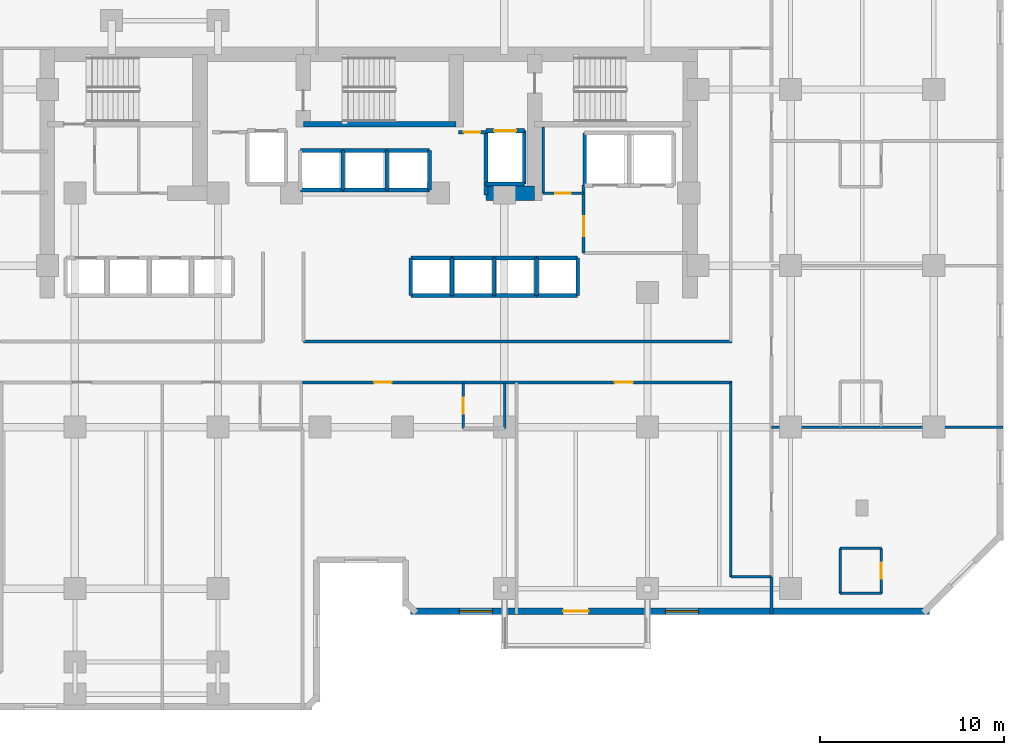
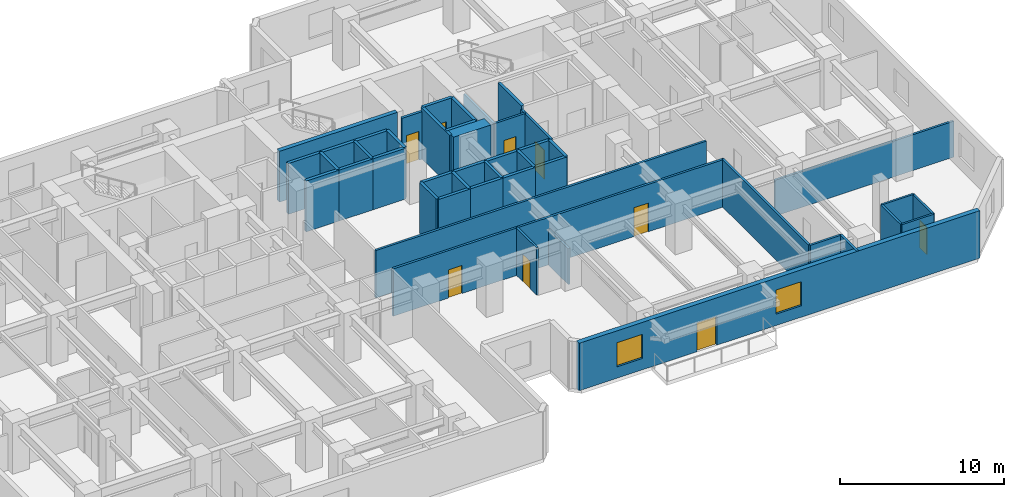
# One storey, part 7 of 11: 46 walls, 9 doors, 2 windows, 11 openings.
"""IFC4 building model written with IfcOpenShell, lengths in metres."""

from ifc_helpers import new_model, si_unit, direction, frame, frame_2d, origin, place, context, subcontext, project, spatial, rectangle, extrude, material, layer, layer_set, type_object, element, fill, save


model = new_model("IFC4")

# Units and contexts
model_context = context("Model", 3, precision=1e-05, world=origin(), true_north=direction((0.0, 1.0)))
body_context = subcontext(model_context, "Body", "Model", "MODEL_VIEW")
ifc_project = project(units=[si_unit("LENGTHUNIT", "METRE"), si_unit("AREAUNIT", "SQUARE_METRE"), si_unit("VOLUMEUNIT", "CUBIC_METRE"), si_unit("PLANEANGLEUNIT", "RADIAN"), si_unit("MASSUNIT", "GRAM", prefix="KILO")], contexts=[model_context])

# Site, building, storey
site_placement = place(None, origin())
site = spatial("IfcSite", under=ifc_project, at=site_placement, CompositionType="ELEMENT")
building_placement = place(site_placement, origin())
building = spatial("IfcBuilding", under=site, at=building_placement, Name="Kestravale Grand Hotel", CompositionType="ELEMENT")
storey_placement = place(building_placement, frame((0.0, 0.0, 114.60009765625)))
storey = spatial("IfcBuildingStorey", under=building, at=storey_placement, Name="L28", CompositionType="ELEMENT", Elevation=114.60009765625)

# Wall
ifc_material_1 = material(Name="Concrete f'c 60 MPa", Category="concrete")
ifc_layer_1 = layer(ifc_material_1, 0.800048828125)
ifc_layer_set_1 = layer_set([ifc_layer_1], Name="EW-CORE-800")
wall_type_1 = type_object("IfcWallType", Name="EW-CORE-800", PredefinedType="SHEAR", material=ifc_layer_set_1)
wall_1_placement = place(storey_placement, frame((45.81005859375, 32.75, 0.0), z_axis=(0.0, 0.0, 1.0), x_axis=(1.0, 0.0, 0.0)))
element("IfcWall", 1, at=wall_1_placement, inside=storey, type_object=wall_type_1, Name="L28 core shear wall S2", PredefinedType="SHEAR", context=body_context, shape_type="SweptSolid", body=[
    extrude(rectangle(XDim=2.639892578125, YDim=0.800048828125, at=frame_2d((1.31982421875, 0.0))), origin(), (0.0, 0.0, 1.0), 3.7998046875),
])

# Wall, openings, door, windows
ifc_material_2 = material(Name="Precast concrete f'c 45 MPa", Category="concrete")
ifc_layer_2 = layer(ifc_material_2, 0.340087890625)
ifc_layer_set_2 = layer_set([ifc_layer_2], Name="EW-PREC-340")
wall_type_2 = type_object("IfcWallType", Name="EW-PREC-340", PredefinedType="SOLIDWALL", material=ifc_layer_set_2)
wall_2_placement = place(storey_placement, frame((41.679931640625, 9.969970703125, 0.0), z_axis=(0.0, 0.0, 1.0), x_axis=(1.0, 0.0, 0.0)))
wall_2 = element("IfcWall", 2, at=wall_2_placement, inside=storey, type_object=wall_type_2, Name="L28 fluted precast facade wall 7", PredefinedType="SOLIDWALL", context=body_context, shape_type="SweptSolid", body=[
    extrude(rectangle(XDim=28.2900390625, YDim=0.340087890625, at=frame_2d((14.14501953125, 0.0))), origin(), (0.0, 0.0, 1.0), 3.539794921875),
])
opening_1_placement = place(wall_2_placement, frame((8.320068359375, 0.0, 0.0)))
opening_1 = element("IfcOpeningElement", 3, at=opening_1_placement, cuts=wall_2, Name="Opening D-TERR-1400", PredefinedType="OPENING", context=body_context, shape_type="SweptSolid", body=[
    extrude(rectangle(XDim=1.39990234375, YDim=2.14990234375, at=frame_2d((0.699951171875, 1.074951171875))), frame((0.0, 0.179931640625, 0.0), z_axis=(0.0, -1.0, 0.0), x_axis=(1.0, 0.0, 0.0)), (0.0, 0.0, 1.0), 0.360107421875),
])
opening_2_placement = place(wall_2_placement, frame((2.6650390625, 0.0, 0.85009765625)))
opening_2 = element("IfcOpeningElement", 4, at=opening_2_placement, cuts=wall_2, Name="Opening W-GUEST-1800", PredefinedType="OPENING", context=body_context, shape_type="SweptSolid", body=[
    extrude(rectangle(XDim=1.800048828125, YDim=1.800048828125, at=frame_2d((0.89990234375, 0.89990234375))), frame((0.0, 0.179931640625, 0.0), z_axis=(0.0, -1.0, 0.0), x_axis=(1.0, 0.0, 0.0)), (0.0, 0.0, 1.0), 0.360107421875),
])
opening_3_placement = place(wall_2_placement, frame((13.89501953125, 0.0, 0.85009765625)))
opening_3 = element("IfcOpeningElement", 5, at=opening_3_placement, cuts=wall_2, Name="Opening W-GUEST-1800", PredefinedType="OPENING", context=body_context, shape_type="SweptSolid", body=[
    extrude(rectangle(XDim=1.800048828125, YDim=1.800048828125, at=frame_2d((0.89990234375, 0.89990234375))), frame((0.0, 0.179931640625, 0.0), z_axis=(0.0, -1.0, 0.0), x_axis=(1.0, 0.0, 0.0)), (0.0, 0.0, 1.0), 0.360107421875),
])
ifc_material_3 = material(Name="Insulated glazed champagne-bronze aluminium door", Category="aluminium")
door_type_1 = type_object("IfcDoorType", Name="D-TERR-1400", OperationType="NOTDEFINED", PredefinedType="DOOR", material=ifc_material_3)
door_1_placement = place(opening_1_placement, origin())
door_1 = element("IfcDoor", 6, at=door_1_placement, inside=storey, type_object=door_type_1, Name="L28 outdoor garden terrace door", OperationType="DOUBLE_DOOR_SINGLE_SWING", OverallHeight=2.14990234375, OverallWidth=1.39990234375, PredefinedType="DOOR", context=body_context, shape_type="SweptSolid", body=[
    extrude(rectangle(XDim=1.39990234375, YDim=2.14990234375, at=frame_2d((0.699951171875, 1.074951171875))), frame((0.0, 0.02490234375, 0.0), z_axis=(0.0, -1.0, 0.0), x_axis=(1.0, 0.0, 0.0)), (0.0, 0.0, 1.0), 0.050048828125),
])
fill(opening_1, door_1)
ifc_material_4 = material(Name="Insulated low-E double glazing in aluminium frame", Category="aluminium")
window_type = type_object("IfcWindowType", Name="W-GUEST-1800", PartitioningType="DOUBLE_PANEL_VERTICAL", PredefinedType="WINDOW", material=ifc_material_4)
window_1_placement = place(opening_2_placement, origin())
window_1 = element("IfcWindow", 7, at=window_1_placement, inside=storey, type_object=window_type, Name="L28 exterior window 7.1", OverallHeight=1.800048828125, OverallWidth=1.800048828125, PartitioningType="SINGLE_PANEL", PredefinedType="WINDOW", context=body_context, shape_type="SweptSolid", body=[
    extrude(rectangle(XDim=1.800048828125, YDim=1.800048828125, at=frame_2d((0.89990234375, 0.89990234375))), frame((0.0, 0.030029296875, 0.0), z_axis=(0.0, -1.0, 0.0), x_axis=(1.0, 0.0, 0.0)), (0.0, 0.0, 1.0), 0.06005859375),
])
fill(opening_2, window_1)
window_2_placement = place(opening_3_placement, origin())
window_2 = element("IfcWindow", 8, at=window_2_placement, inside=storey, type_object=window_type, Name="L28 exterior window 7.2", OverallHeight=1.800048828125, OverallWidth=1.800048828125, PartitioningType="SINGLE_PANEL", PredefinedType="WINDOW", context=body_context, shape_type="SweptSolid", body=[
    extrude(rectangle(XDim=1.800048828125, YDim=1.800048828125, at=frame_2d((0.89990234375, 0.89990234375))), frame((0.0, 0.030029296875, 0.0), z_axis=(0.0, -1.0, 0.0), x_axis=(1.0, 0.0, 0.0)), (0.0, 0.0, 1.0), 0.06005859375),
])
fill(opening_3, window_2)

# Wall
ifc_material_5 = material(Name="Concrete f'c 45 MPa", Category="concrete")
ifc_layer_3 = layer(ifc_material_5, 0.300048828125)
ifc_layer_set_3 = layer_set([ifc_layer_3], Name="EW-STAIR-300")
wall_type_3 = type_object("IfcWallType", Name="EW-STAIR-300", PredefinedType="SHEAR", material=ifc_layer_set_3)
wall_3_placement = place(storey_placement, frame((35.85009765625, 36.52001953125, 0.0), z_axis=(0.0, 0.0, 1.0), x_axis=(1.0, 0.0, 0.0)))
element("IfcWall", 9, at=wall_3_placement, inside=storey, type_object=wall_type_3, Name="L28 stair enclosure shear wall SST2", PredefinedType="SHEAR", context=body_context, shape_type="SweptSolid", body=[
    extrude(rectangle(XDim=8.329833984375, YDim=0.300048828125, at=frame_2d((4.1650390625, 0.0))), origin(), (0.0, 0.0, 1.0), 3.7998046875),
])

# Wall, opening, door
ifc_material_6 = material(Name="Acoustic fire-rated gypsum board partition", Category="other")
ifc_layer_4 = layer(ifc_material_6, 0.159912109375)
ifc_layer_set_4 = layer_set([ifc_layer_4], Name="IW-CORR-160")
wall_type_4 = type_object("IfcWallType", Name="IW-CORR-160", PredefinedType="PARTITIONING", material=ifc_layer_set_4)
wall_4_placement = place(storey_placement, frame((51.1201171875, 29.5, 0.0), z_axis=(0.0, 0.0, 1.0), x_axis=(0.0, 1.0, 0.0)))
wall_4 = element("IfcWall", 10, at=wall_4_placement, inside=storey, type_object=wall_type_4, Name="W-L28-SVCLOB-W", PredefinedType="PARTITIONING", context=body_context, shape_type="SweptSolid", body=[
    extrude(rectangle(XDim=3.699951171875, YDim=0.159912109375, at=frame_2d((1.85009765625, 0.0))), origin(), (0.0, 0.0, 1.0), 3.539794921875),
])
opening_4_placement = place(wall_4_placement, frame((0.89990234375, 0.0, 0.0)))
opening_4 = element("IfcOpeningElement", 11, at=opening_4_placement, cuts=wall_4, Name="Opening D-CORR-1100", PredefinedType="OPENING", context=body_context, shape_type="SweptSolid", body=[
    extrude(rectangle(XDim=1.10009765625, YDim=2.14990234375, at=frame_2d((0.550048828125, 1.074951171875))), frame((0.0, 0.08984375, 0.0), z_axis=(0.0, -1.0, 0.0), x_axis=(1.0, 0.0, 0.0)), (0.0, 0.0, 1.0), 0.179931640625),
])
ifc_material_7 = material(Name="Single-leaf service vestibule fire door", Category="steel")
door_type_2 = type_object("IfcDoorType", Name="D-CORR-1100", OperationType="NOTDEFINED", PredefinedType="DOOR", material=ifc_material_7)
door_2_placement = place(opening_4_placement, origin())
door_2 = element("IfcDoor", 12, at=door_2_placement, inside=storey, type_object=door_type_2, Name="L28 service lift lobby door", OperationType="SINGLE_SWING_LEFT", OverallHeight=2.14990234375, OverallWidth=1.10009765625, PredefinedType="DOOR", context=body_context, shape_type="SweptSolid", body=[
    extrude(rectangle(XDim=1.10009765625, YDim=2.14990234375, at=frame_2d((0.550048828125, 1.074951171875))), frame((0.0, 0.02490234375, 0.0), z_axis=(0.0, -1.0, 0.0), x_axis=(1.0, 0.0, 0.0)), (0.0, 0.0, 1.0), 0.050048828125),
])
fill(opening_4, door_2)

wall_5_placement = place(storey_placement, frame((48.919921875, 32.75, 0.0), z_axis=(0.0, 0.0, 1.0), x_axis=(1.0, 0.0, 0.0)))
wall_5 = element("IfcWall", 13, at=wall_5_placement, inside=storey, type_object=wall_type_4, Name="W-L28-CES", PredefinedType="PARTITIONING", context=body_context, shape_type="SweptSolid", body=[
    extrude(rectangle(XDim=2.2001953125, YDim=0.159912109375, at=frame_2d((1.10009765625, 0.0))), origin(), (0.0, 0.0, 1.0), 3.539794921875),
])
opening_5_placement = place(wall_5_placement, frame((0.64990234375, 0.0, 0.0)))
opening_5 = element("IfcOpeningElement", 14, at=opening_5_placement, cuts=wall_5, Name="Opening D-SH-860", PredefinedType="OPENING", context=body_context, shape_type="SweptSolid", body=[
    extrude(rectangle(XDim=0.860107421875, YDim=2.050048828125, at=frame_2d((0.43017578125, 1.02490234375))), frame((0.0, 0.08984375, 0.0), z_axis=(0.0, -1.0, 0.0), x_axis=(1.0, 0.0, 0.0)), (0.0, 0.0, 1.0), 0.179931640625),
])
ifc_material_8 = material(Name="Galvanised 90-minute riser fire door", Category="steel")
door_type_3 = type_object("IfcDoorType", Name="D-SH-860", OperationType="NOTDEFINED", PredefinedType="DOOR", material=ifc_material_8)
door_3_placement = place(opening_5_placement, origin())
door_3 = element("IfcDoor", 15, at=door_3_placement, inside=storey, type_object=door_type_3, Name="L28 CSTO1 door", OperationType="SINGLE_SWING_RIGHT", OverallHeight=2.050048828125, OverallWidth=0.860107421875, PredefinedType="DOOR", context=body_context, shape_type="SweptSolid", body=[
    extrude(rectangle(XDim=0.860107421875, YDim=2.050048828125, at=frame_2d((0.43017578125, 1.02490234375))), frame((0.0, 0.02490234375, 0.0), z_axis=(0.0, -1.0, 0.0), x_axis=(1.0, 0.0, 0.0)), (0.0, 0.0, 1.0), 0.050048828125),
])
fill(opening_5, door_3)

# Wall
wall_6_placement = place(storey_placement, frame((35.85009765625, 24.659912109375, 0.0), z_axis=(0.0, 0.0, 1.0), x_axis=(1.0, 0.0, 0.0)))
element("IfcWall", 16, at=wall_6_placement, inside=storey, type_object=wall_type_4, Name="W-L28-CE-N", PredefinedType="PARTITIONING", context=body_context, shape_type="SweptSolid", body=[
    extrude(rectangle(XDim=23.349853515625, YDim=0.159912109375, at=frame_2d((11.6748046875, 0.0))), origin(), (0.0, 0.0, 1.0), 3.539794921875),
])

# Wall, openings, doors
wall_7_placement = place(storey_placement, frame((35.800048828125, 22.43994140625, 0.0), z_axis=(0.0, 0.0, 1.0), x_axis=(1.0, 0.0, 0.0)))
wall_7 = element("IfcWall", 17, at=wall_7_placement, inside=storey, type_object=wall_type_4, Name="W-L28-CE-S", PredefinedType="PARTITIONING", context=body_context, shape_type="SweptSolid", body=[
    extrude(rectangle(XDim=23.39990234375, YDim=0.159912109375, at=frame_2d((11.699951171875, 0.0))), origin(), (0.0, 0.0, 1.0), 3.539794921875),
])
opening_6_placement = place(wall_7_placement, frame((3.909912109375, 0.0, 0.0)))
opening_6 = element("IfcOpeningElement", 18, at=opening_6_placement, cuts=wall_7, Name="Opening D-GUEST-950", PredefinedType="OPENING", context=body_context, shape_type="SweptSolid", body=[
    extrude(rectangle(XDim=0.949951171875, YDim=2.10009765625, at=frame_2d((0.47509765625, 1.050048828125))), frame((0.0, 0.08984375, 0.0), z_axis=(0.0, -1.0, 0.0), x_axis=(1.0, 0.0, 0.0)), (0.0, 0.0, 1.0), 0.179931640625),
])
opening_7_placement = place(wall_7_placement, frame((17.0048828125, 0.0, 0.0)))
opening_7 = element("IfcOpeningElement", 19, at=opening_7_placement, cuts=wall_7, Name="Opening D-GUEST-1000", PredefinedType="OPENING", context=body_context, shape_type="SweptSolid", body=[
    extrude(rectangle(XDim=1.0, YDim=2.14990234375, at=frame_2d((0.5, 1.074951171875))), frame((0.0, 0.08984375, 0.0), z_axis=(0.0, -1.0, 0.0), x_axis=(1.0, 0.0, 0.0)), (0.0, 0.0, 1.0), 0.179931640625),
])
ifc_material_9 = material(Name="Accessible walnut veneer hotel entrance fire door", Category="wood")
door_type_4 = type_object("IfcDoorType", Name="D-GUEST-1000", OperationType="NOTDEFINED", PredefinedType="DOOR", material=ifc_material_9)
door_4_placement = place(opening_7_placement, origin())
door_4 = element("IfcDoor", 20, at=door_4_placement, inside=storey, type_object=door_type_4, Name="D-L28-AME", OperationType="SINGLE_SWING_RIGHT", OverallHeight=2.14990234375, OverallWidth=1.0, PredefinedType="DOOR", context=body_context, shape_type="SweptSolid", body=[
    extrude(rectangle(XDim=1.0, YDim=2.14990234375, at=frame_2d((0.5, 1.074951171875))), frame((0.0, 0.02490234375, 0.0), z_axis=(0.0, -1.0, 0.0), x_axis=(1.0, 0.0, 0.0)), (0.0, 0.0, 1.0), 0.050048828125),
])
fill(opening_7, door_4)
ifc_material_10 = material(Name="Walnut veneer hotel guestroom entrance fire door", Category="wood")
door_type_5 = type_object("IfcDoorType", Name="D-GUEST-950", OperationType="NOTDEFINED", PredefinedType="DOOR", material=ifc_material_10)
door_5_placement = place(opening_6_placement, origin())
door_5 = element("IfcDoor", 21, at=door_5_placement, inside=storey, type_object=door_type_5, Name="D-L28-U02-ENT", OperationType="SINGLE_SWING_LEFT", OverallHeight=2.10009765625, OverallWidth=0.949951171875, PredefinedType="DOOR", context=body_context, shape_type="SweptSolid", body=[
    extrude(rectangle(XDim=0.949951171875, YDim=2.10009765625, at=frame_2d((0.47509765625, 1.050048828125))), frame((0.0, 0.02490234375, 0.0), z_axis=(0.0, -1.0, 0.0), x_axis=(1.0, 0.0, 0.0)), (0.0, 0.0, 1.0), 0.050048828125),
])
fill(opening_6, door_5)

# Wall
wall_8_placement = place(storey_placement, frame((59.139892578125, 11.85009765625, 0.0), z_axis=(0.0, 0.0, 1.0), x_axis=(0.0, 1.0, 0.0)))
element("IfcWall", 22, at=wall_8_placement, inside=storey, type_object=wall_type_4, Name="W-L28-SE-W", PredefinedType="PARTITIONING", context=body_context, shape_type="SweptSolid", body=[
    extrude(rectangle(XDim=10.58984375, YDim=0.159912109375, at=frame_2d((5.294921875, 0.0))), origin(), (0.0, 0.0, 1.0), 3.539794921875),
])

# Wall, opening, door
ifc_material_11 = material(Name="Fire-rated gypsum board on steel studs with mineral wool", Category="steel")
ifc_layer_5 = layer(ifc_material_11, 0.179931640625)
ifc_layer_set_5 = layer_set([ifc_layer_5], Name="IW-FSAE-180")
wall_type_5 = type_object("IfcWallType", Name="IW-FSAE-180", PredefinedType="PARTITIONING", material=ifc_layer_set_5)
wall_9_placement = place(storey_placement, frame((44.300048828125, 36.080078125, 0.0), z_axis=(0.0, 0.0, 1.0), x_axis=(1.0, 0.0, 0.0)))
wall_9 = element("IfcWall", 23, at=wall_9_placement, inside=storey, type_object=wall_type_5, Name="L28 FSAE Lobby 2 smoke barrier", PredefinedType="PARTITIONING", context=body_context, shape_type="SweptSolid", body=[
    extrude(rectangle(XDim=1.5, YDim=0.179931640625, at=frame_2d((0.75, 0.0))), origin(), (0.0, 0.0, 1.0), 3.539794921875),
])
opening_8_placement = place(wall_9_placement, frame((0.300048828125, 0.0, 0.0)))
opening_8 = element("IfcOpeningElement", 24, at=opening_8_placement, cuts=wall_9, Name="Opening D-FSAE-1000", PredefinedType="OPENING", context=body_context, shape_type="SweptSolid", body=[
    extrude(rectangle(XDim=0.89990234375, YDim=2.14990234375, at=frame_2d((0.449951171875, 1.074951171875))), frame((0.0, 0.099853515625, 0.0), z_axis=(0.0, -1.0, 0.0), x_axis=(1.0, 0.0, 0.0)), (0.0, 0.0, 1.0), 0.199951171875),
])
ifc_material_12 = material(Name="Smoke-gasketed FSAE lobby fire door", Category="steel")
door_type_6 = type_object("IfcDoorType", Name="D-FSAE-1000", OperationType="NOTDEFINED", PredefinedType="DOOR", material=ifc_material_12)
door_6_placement = place(opening_8_placement, origin())
door_6 = element("IfcDoor", 25, at=door_6_placement, inside=storey, type_object=door_type_6, Name="L28 FSAE Lobby 2 fire door", OperationType="SINGLE_SWING_LEFT", OverallHeight=2.14990234375, OverallWidth=0.89990234375, PredefinedType="DOOR", context=body_context, shape_type="SweptSolid", body=[
    extrude(rectangle(XDim=0.89990234375, YDim=2.14990234375, at=frame_2d((0.449951171875, 1.074951171875))), frame((0.0, 0.02490234375, 0.0), z_axis=(0.0, -1.0, 0.0), x_axis=(1.0, 0.0, 0.0)), (0.0, 0.0, 1.0), 0.050048828125),
])
fill(opening_8, door_6)

ifc_material_13 = material(Name="Moisture-resistant tile-backer plumbing chase wall", Category="other")
ifc_layer_6 = layer(ifc_material_13, 0.139892578125)
ifc_layer_set_6 = layer_set([ifc_layer_6], Name="IW-PLB-140")
wall_type_6 = type_object("IfcWallType", Name="IW-PLB-140", PredefinedType="PLUMBINGWALL", material=ifc_layer_set_6)
wall_10_placement = place(storey_placement, frame((44.570068359375, 19.929931640625, 0.0), z_axis=(0.0, 0.0, 1.0), x_axis=(0.0, 1.0, 0.0)))
wall_10 = element("IfcWall", 26, at=wall_10_placement, inside=storey, type_object=wall_type_6, Name="W-L28-U02-BW", PredefinedType="PLUMBINGWALL", context=body_context, shape_type="SweptSolid", body=[
    extrude(rectangle(XDim=2.489990234375, YDim=0.139892578125, at=frame_2d((1.2451171875, 0.0))), origin(), (0.0, 0.0, 1.0), 3.539794921875),
])
opening_9_placement = place(wall_10_placement, frame((0.804931640625, 0.0, 0.0)))
opening_9 = element("IfcOpeningElement", 27, at=opening_9_placement, cuts=wall_10, Name="Opening D-BATH-880", PredefinedType="OPENING", context=body_context, shape_type="SweptSolid", body=[
    extrude(rectangle(XDim=0.8798828125, YDim=2.050048828125, at=frame_2d((0.43994140625, 1.02490234375))), frame((0.0, 0.079833984375, 0.0), z_axis=(0.0, -1.0, 0.0), x_axis=(1.0, 0.0, 0.0)), (0.0, 0.0, 1.0), 0.159912109375),
])
ifc_material_14 = material(Name="Moisture-sealed walnut en-suite bathroom door", Category="wood")
door_type_7 = type_object("IfcDoorType", Name="D-BATH-880", OperationType="NOTDEFINED", PredefinedType="DOOR", material=ifc_material_14)
door_7_placement = place(opening_9_placement, origin())
door_7 = element("IfcDoor", 28, at=door_7_placement, inside=storey, type_object=door_type_7, Name="D-L28-U02-BATH", OperationType="SINGLE_SWING_RIGHT", OverallHeight=2.050048828125, OverallWidth=0.8798828125, PredefinedType="DOOR", context=body_context, shape_type="SweptSolid", body=[
    extrude(rectangle(XDim=0.8798828125, YDim=2.050048828125, at=frame_2d((0.43994140625, 1.02490234375))), frame((0.0, 0.02490234375, 0.0), z_axis=(0.0, -1.0, 0.0), x_axis=(1.0, 0.0, 0.0)), (0.0, 0.0, 1.0), 0.050048828125),
])
fill(opening_9, door_7)

# Walls
wall_11_placement = place(storey_placement, frame((46.820068359375, 19.929931640625, 0.0), z_axis=(0.0, 0.0, 1.0), x_axis=(0.0, 1.0, 0.0)))
element("IfcWall", 29, at=wall_11_placement, inside=storey, type_object=wall_type_6, Name="W-L28-U02-BE", PredefinedType="PLUMBINGWALL", context=body_context, shape_type="SweptSolid", body=[
    extrude(rectangle(XDim=2.489990234375, YDim=0.139892578125, at=frame_2d((1.2451171875, 0.0))), origin(), (0.0, 0.0, 1.0), 2.678955078125),
])
wall_12_placement = place(storey_placement, frame((65.10009765625, 10.949951171875, 0.0), z_axis=(0.0, 0.0, 1.0), x_axis=(0.0, 1.0, 0.0)))
element("IfcWall", 30, at=wall_12_placement, inside=storey, type_object=wall_type_6, Name="W-L28-U07-BW", PredefinedType="PLUMBINGWALL", context=body_context, shape_type="SweptSolid", body=[
    extrude(rectangle(XDim=2.449951171875, YDim=0.139892578125, at=frame_2d((1.22509765625, 0.0))), origin(), (0.0, 0.0, 1.0), 3.539794921875),
])

# Wall, opening, door
wall_13_placement = place(storey_placement, frame((67.35009765625, 10.949951171875, 0.0), z_axis=(0.0, 0.0, 1.0), x_axis=(0.0, 1.0, 0.0)))
wall_13 = element("IfcWall", 31, at=wall_13_placement, inside=storey, type_object=wall_type_6, Name="W-L28-U07-BE", PredefinedType="PLUMBINGWALL", context=body_context, shape_type="SweptSolid", body=[
    extrude(rectangle(XDim=2.449951171875, YDim=0.139892578125, at=frame_2d((1.22509765625, 0.0))), origin(), (0.0, 0.0, 1.0), 3.539794921875),
])
opening_10_placement = place(wall_13_placement, frame((0.784912109375, 0.0, 0.0)))
opening_10 = element("IfcOpeningElement", 32, at=opening_10_placement, cuts=wall_13, Name="Opening D-BATH-880", PredefinedType="OPENING", context=body_context, shape_type="SweptSolid", body=[
    extrude(rectangle(XDim=0.8798828125, YDim=2.050048828125, at=frame_2d((0.43994140625, 1.02490234375))), frame((0.0, 0.079833984375, 0.0), z_axis=(0.0, -1.0, 0.0), x_axis=(1.0, 0.0, 0.0)), (0.0, 0.0, 1.0), 0.159912109375),
])
door_8_placement = place(opening_10_placement, origin())
door_8 = element("IfcDoor", 33, at=door_8_placement, inside=storey, type_object=door_type_7, Name="D-L28-U07-BATH", OperationType="SINGLE_SWING_RIGHT", OverallHeight=2.050048828125, OverallWidth=0.8798828125, PredefinedType="DOOR", context=body_context, shape_type="SweptSolid", body=[
    extrude(rectangle(XDim=0.8798828125, YDim=2.050048828125, at=frame_2d((0.43994140625, 1.02490234375))), frame((0.0, 0.02490234375, 0.0), z_axis=(0.0, -1.0, 0.0), x_axis=(1.0, 0.0, 0.0)), (0.0, 0.0, 1.0), 0.050048828125),
])
fill(opening_10, door_8)

# Walls
for number, where, z_axis, x_axis, name in (
    (34, (65.10009765625, 10.949951171875, 0.0), (0.0, 0.0, 1.0), (1.0, 0.0, 0.0), "W-L28-U07-BS"),
    (35, (65.10009765625, 13.39990234375, 0.0), (0.0, 0.0, 1.0), (1.0, 0.0, 0.0), "W-L28-U07-BN"),
):
    element("IfcWall", number, at=place(storey_placement, frame(where, z_axis=z_axis, x_axis=x_axis)), inside=storey, type_object=wall_type_6, Name=name, PredefinedType="PLUMBINGWALL", context=body_context, shape_type="SweptSolid", body=[
        extrude(rectangle(XDim=2.25, YDim=0.139892578125, at=frame_2d((1.125, 0.0))), origin(), (0.0, 0.0, 1.0), 3.539794921875),
    ])
ifc_material_15 = material(Name="Concrete f'c 45 MPa", Category="concrete")
ifc_layer_7 = layer(ifc_material_15, 0.199951171875)
ifc_layer_set_7 = layer_set([ifc_layer_7], Name="IW-SHAFT-200")
wall_type_7 = type_object("IfcWallType", Name="IW-SHAFT-200", PredefinedType="SHEAR", material=ifc_layer_set_7)
for number, where, z_axis, x_axis, name in (
    (36, (41.705078125, 27.169921875, 0.0), (0.0, 0.0, 1.0), (0.0, 1.0, 0.0), "L28 PL-M1 west shaft wall"),
    (37, (43.949951171875, 27.169921875, 0.0), (0.0, 0.0, 1.0), (0.0, 1.0, 0.0), "L28 PL-M2 west shaft wall"),
    (38, (46.25, 27.169921875, 0.0), (0.0, 0.0, 1.0), (0.0, 1.0, 0.0), "L28 PL-M3 west shaft wall"),
    (39, (48.550048828125, 27.169921875, 0.0), (0.0, 0.0, 1.0), (0.0, 1.0, 0.0), "L28 PL-M4 west shaft wall"),
    (40, (50.794921875, 27.169921875, 0.0), (0.0, 0.0, 1.0), (0.0, 1.0, 0.0), "L28 PL-M4 east shaft wall"),
):
    element("IfcWall", number, at=place(storey_placement, frame(where, z_axis=z_axis, x_axis=x_axis)), inside=storey, type_object=wall_type_7, Name=name, PredefinedType="SHEAR", context=body_context, shape_type="SweptSolid", body=[
        extrude(rectangle(XDim=2.06005859375, YDim=0.199951171875, at=frame_2d((1.030029296875, 0.0))), origin(), (0.0, 0.0, 1.0), 3.7998046875),
    ])
for number, where, z_axis, x_axis, name in (
    (41, (38.0, 32.919921875, 0.0), (0.0, 0.0, 1.0), (0.0, 1.0, 0.0), "L28 PL-X2 west shaft wall"),
    (42, (40.39990234375, 32.919921875, 0.0), (0.0, 0.0, 1.0), (0.0, 1.0, 0.0), "L28 PL-X3 west shaft wall"),
    (43, (42.719970703125, 32.919921875, 0.0), (0.0, 0.0, 1.0), (0.0, 1.0, 0.0), "L28 PL-X3 east shaft wall"),
):
    element("IfcWall", number, at=place(storey_placement, frame(where, z_axis=z_axis, x_axis=x_axis)), inside=storey, type_object=wall_type_7, Name=name, PredefinedType="SHEAR", context=body_context, shape_type="SweptSolid", body=[
        extrude(rectangle(XDim=2.16015625, YDim=0.199951171875, at=frame_2d((1.080078125, 0.0))), origin(), (0.0, 0.0, 1.0), 3.7998046875),
    ])
wall_14_placement = place(storey_placement, frame((51.179931640625, 33.169921875, 0.0), z_axis=(0.0, 0.0, 1.0), x_axis=(0.0, 1.0, 0.0)))
element("IfcWall", 44, at=wall_14_placement, inside=storey, type_object=wall_type_7, Name="L28 SL-1 west shaft wall", PredefinedType="SHEAR", context=body_context, shape_type="SweptSolid", body=[
    extrude(rectangle(XDim=2.860107421875, YDim=0.199951171875, at=frame_2d((1.43017578125, 0.0))), origin(), (0.0, 0.0, 1.0), 3.7998046875),
])
wall_15_placement = place(storey_placement, frame((45.804931640625, 32.64990234375, 0.0), z_axis=(0.0, 0.0, 1.0), x_axis=(0.0, 1.0, 0.0)))
element("IfcWall", 45, at=wall_15_placement, inside=storey, type_object=wall_type_7, Name="L28 FL-2 west shaft wall", PredefinedType="SHEAR", context=body_context, shape_type="SweptSolid", body=[
    extrude(rectangle(XDim=3.505126953125, YDim=0.199951171875, at=frame_2d((1.75244140625, 0.0))), origin(), (0.0, 0.0, 1.0), 3.7998046875),
])
wall_16_placement = place(storey_placement, frame((47.89501953125, 33.2451171875, 0.0), z_axis=(0.0, 0.0, 1.0), x_axis=(0.0, 1.0, 0.0)))
element("IfcWall", 46, at=wall_16_placement, inside=storey, type_object=wall_type_7, Name="L28 FL-2 east shaft wall", PredefinedType="SHEAR", context=body_context, shape_type="SweptSolid", body=[
    extrude(rectangle(XDim=2.909912109375, YDim=0.199951171875, at=frame_2d((1.455078125, 0.0))), origin(), (0.0, 0.0, 1.0), 3.7998046875),
])
ifc_material_16 = material(Name="Concrete f'c 45 MPa", Category="concrete")
ifc_layer_8 = layer(ifc_material_16, 0.219970703125)
ifc_layer_set_8 = layer_set([ifc_layer_8], Name="IW-SHAFT-220")
wall_type_8 = type_object("IfcWallType", Name="IW-SHAFT-220", PredefinedType="SHEAR", material=ifc_layer_set_8)
for number, where, z_axis, x_axis, name in (
    (47, (41.705078125, 29.22998046875, 0.0), (0.0, 0.0, 1.0), (1.0, 0.0, 0.0), "L28 PL-M1 north shaft wall"),
    (48, (41.705078125, 27.169921875, 0.0), (0.0, 0.0, 1.0), (1.0, 0.0, 0.0), "L28 PL-M1 south shaft wall"),
):
    element("IfcWall", number, at=place(storey_placement, frame(where, z_axis=z_axis, x_axis=x_axis)), inside=storey, type_object=wall_type_8, Name=name, PredefinedType="SHEAR", context=body_context, shape_type="SweptSolid", body=[
        extrude(rectangle(XDim=2.244873046875, YDim=0.219970703125, at=frame_2d((1.12255859375, 0.0))), origin(), (0.0, 0.0, 1.0), 3.7998046875),
    ])
for number, where, z_axis, x_axis, name in (
    (49, (43.949951171875, 29.22998046875, 0.0), (0.0, 0.0, 1.0), (1.0, 0.0, 0.0), "L28 PL-M2 north shaft wall"),
    (50, (43.949951171875, 27.169921875, 0.0), (0.0, 0.0, 1.0), (1.0, 0.0, 0.0), "L28 PL-M2 south shaft wall"),
    (51, (46.25, 29.22998046875, 0.0), (0.0, 0.0, 1.0), (1.0, 0.0, 0.0), "L28 PL-M3 north shaft wall"),
    (52, (46.25, 27.169921875, 0.0), (0.0, 0.0, 1.0), (1.0, 0.0, 0.0), "L28 PL-M3 south shaft wall"),
):
    element("IfcWall", number, at=place(storey_placement, frame(where, z_axis=z_axis, x_axis=x_axis)), inside=storey, type_object=wall_type_8, Name=name, PredefinedType="SHEAR", context=body_context, shape_type="SweptSolid", body=[
        extrude(rectangle(XDim=2.300048828125, YDim=0.219970703125, at=frame_2d((1.14990234375, 0.0))), origin(), (0.0, 0.0, 1.0), 3.7998046875),
    ])
for number, where, z_axis, x_axis, name in (
    (53, (48.550048828125, 29.22998046875, 0.0), (0.0, 0.0, 1.0), (1.0, 0.0, 0.0), "L28 PL-M4 north shaft wall"),
    (54, (48.550048828125, 27.169921875, 0.0), (0.0, 0.0, 1.0), (1.0, 0.0, 0.0), "L28 PL-M4 south shaft wall"),
):
    element("IfcWall", number, at=place(storey_placement, frame(where, z_axis=z_axis, x_axis=x_axis)), inside=storey, type_object=wall_type_8, Name=name, PredefinedType="SHEAR", context=body_context, shape_type="SweptSolid", body=[
        extrude(rectangle(XDim=2.244873046875, YDim=0.219970703125, at=frame_2d((1.12255859375, 0.0))), origin(), (0.0, 0.0, 1.0), 3.7998046875),
    ])
for number, where, z_axis, x_axis, name in (
    (55, (35.679931640625, 35.080078125, 0.0), (0.0, 0.0, 1.0), (1.0, 0.0, 0.0), "L28 PL-X1 north shaft wall"),
    (56, (35.679931640625, 32.919921875, 0.0), (0.0, 0.0, 1.0), (1.0, 0.0, 0.0), "L28 PL-X1 south shaft wall"),
):
    element("IfcWall", number, at=place(storey_placement, frame(where, z_axis=z_axis, x_axis=x_axis)), inside=storey, type_object=wall_type_8, Name=name, PredefinedType="SHEAR", context=body_context, shape_type="SweptSolid", body=[
        extrude(rectangle(XDim=2.320068359375, YDim=0.219970703125, at=frame_2d((1.16015625, 0.0))), origin(), (0.0, 0.0, 1.0), 3.7998046875),
    ])
for number, where, z_axis, x_axis, name in (
    (57, (38.0, 35.080078125, 0.0), (0.0, 0.0, 1.0), (1.0, 0.0, 0.0), "L28 PL-X2 north shaft wall"),
    (58, (38.0, 32.919921875, 0.0), (0.0, 0.0, 1.0), (1.0, 0.0, 0.0), "L28 PL-X2 south shaft wall"),
):
    element("IfcWall", number, at=place(storey_placement, frame(where, z_axis=z_axis, x_axis=x_axis)), inside=storey, type_object=wall_type_8, Name=name, PredefinedType="SHEAR", context=body_context, shape_type="SweptSolid", body=[
        extrude(rectangle(XDim=2.39990234375, YDim=0.219970703125, at=frame_2d((1.199951171875, 0.0))), origin(), (0.0, 0.0, 1.0), 3.7998046875),
    ])
for number, where, z_axis, x_axis, name in (
    (59, (40.39990234375, 35.080078125, 0.0), (0.0, 0.0, 1.0), (1.0, 0.0, 0.0), "L28 PL-X3 north shaft wall"),
    (60, (40.39990234375, 32.919921875, 0.0), (0.0, 0.0, 1.0), (1.0, 0.0, 0.0), "L28 PL-X3 south shaft wall"),
):
    element("IfcWall", number, at=place(storey_placement, frame(where, z_axis=z_axis, x_axis=x_axis)), inside=storey, type_object=wall_type_8, Name=name, PredefinedType="SHEAR", context=body_context, shape_type="SweptSolid", body=[
        extrude(rectangle(XDim=2.320068359375, YDim=0.219970703125, at=frame_2d((1.16015625, 0.0))), origin(), (0.0, 0.0, 1.0), 3.7998046875),
    ])

# Wall, opening, door
wall_17_placement = place(storey_placement, frame((45.804931640625, 36.155029296875, 0.0), z_axis=(0.0, 0.0, 1.0), x_axis=(1.0, 0.0, 0.0)))
wall_17 = element("IfcWall", 61, at=wall_17_placement, inside=storey, type_object=wall_type_8, Name="L28 FL-2 north shaft wall", PredefinedType="SHEAR", context=body_context, shape_type="SweptSolid", body=[
    extrude(rectangle(XDim=2.090087890625, YDim=0.219970703125, at=frame_2d((1.044921875, 0.0))), origin(), (0.0, 0.0, 1.0), 3.7998046875),
])
opening_11_placement = place(wall_17_placement, frame((0.445068359375, 0.0, 0.0)))
opening_11 = element("IfcOpeningElement", 62, at=opening_11_placement, cuts=wall_17, Name="Opening LD-FSAE-1200", PredefinedType="OPENING", context=body_context, shape_type="SweptSolid", body=[
    extrude(rectangle(XDim=1.199951171875, YDim=2.14990234375, at=frame_2d((0.60009765625, 1.074951171875))), frame((0.0, 0.119873046875, 0.0), z_axis=(0.0, -1.0, 0.0), x_axis=(1.0, 0.0, 0.0)), (0.0, 0.0, 1.0), 0.239990234375),
])
ifc_material_17 = material(Name="Stainless fire-service sliding elevator landing door", Category="steel")
door_type_8 = type_object("IfcDoorType", Name="LD-FSAE-1200", OperationType="NOTDEFINED", PredefinedType="DOOR", material=ifc_material_17)
door_9_placement = place(opening_11_placement, origin())
door_9 = element("IfcDoor", 63, at=door_9_placement, inside=storey, type_object=door_type_8, Name="L28 FL-2 elevator landing sliding door", OperationType="DOUBLE_DOOR_SLIDING", OverallHeight=2.14990234375, OverallWidth=1.199951171875, PredefinedType="DOOR", context=body_context, shape_type="SweptSolid", body=[
    extrude(rectangle(XDim=1.199951171875, YDim=2.14990234375, at=frame_2d((0.60009765625, 1.074951171875))), frame((0.0, 0.02490234375, 0.0), z_axis=(0.0, -1.0, 0.0), x_axis=(1.0, 0.0, 0.0)), (0.0, 0.0, 1.0), 0.050048828125),
])
fill(opening_11, door_9)

# Walls
wall_18_placement = place(storey_placement, frame((45.804931640625, 33.2451171875, 0.0), z_axis=(0.0, 0.0, 1.0), x_axis=(1.0, 0.0, 0.0)))
element("IfcWall", 64, at=wall_18_placement, inside=storey, type_object=wall_type_8, Name="L28 FL-2 south shaft wall", PredefinedType="SHEAR", context=body_context, shape_type="SweptSolid", body=[
    extrude(rectangle(XDim=2.090087890625, YDim=0.219970703125, at=frame_2d((1.044921875, 0.0))), origin(), (0.0, 0.0, 1.0), 3.7998046875),
])
ifc_material_18 = material(Name="Double-stud STC 52 acoustic demising partition", Category="other")
ifc_layer_9 = layer(ifc_material_18, 0.14990234375)
ifc_layer_set_9 = layer_set([ifc_layer_9], Name="IW-UNIT-150")
wall_type_9 = type_object("IfcWallType", Name="IW-UNIT-150", PredefinedType="PARTITIONING", material=ifc_layer_set_9)
wall_19_placement = place(storey_placement, frame((48.919921875, 32.75, 0.0), z_axis=(0.0, 0.0, 1.0), x_axis=(0.0, 1.0, 0.0)))
element("IfcWall", 65, at=wall_19_placement, inside=storey, type_object=wall_type_9, Name="W-L28-CEW", PredefinedType="PARTITIONING", context=body_context, shape_type="SweptSolid", body=[
    extrude(rectangle(XDim=3.6201171875, YDim=0.14990234375, at=frame_2d((1.81005859375, 0.0))), origin(), (0.0, 0.0, 1.0), 3.539794921875),
])
wall_20_placement = place(storey_placement, frame((59.139892578125, 11.85009765625, 0.0), z_axis=(0.0, 0.0, 1.0), x_axis=(1.0, 0.0, 0.0)))
element("IfcWall", 66, at=wall_20_placement, inside=storey, type_object=wall_type_9, Name="W-L28-SE-S", PredefinedType="PARTITIONING", context=body_context, shape_type="SweptSolid", body=[
    extrude(rectangle(XDim=2.22021484375, YDim=0.14990234375, at=frame_2d((1.110107421875, 0.0))), origin(), (0.0, 0.0, 1.0), 3.539794921875),
])
wall_21_placement = place(storey_placement, frame((61.360107421875, 9.820068359375, 0.0), z_axis=(0.0, 0.0, 1.0), x_axis=(0.0, 1.0, 0.0)))
element("IfcWall", 67, at=wall_21_placement, inside=storey, type_object=wall_type_9, Name="W-L28-SE-EXT", PredefinedType="PARTITIONING", context=body_context, shape_type="SweptSolid", body=[
    extrude(rectangle(XDim=2.030029296875, YDim=0.14990234375, at=frame_2d((1.01513671875, 0.0))), origin(), (0.0, 0.0, 1.0), 3.539794921875),
])
wall_22_placement = place(storey_placement, frame((61.360107421875, 20.0, 0.0), z_axis=(0.0, 0.0, 1.0), x_axis=(1.0, 0.0, 0.0)))
element("IfcWall", 68, at=wall_22_placement, inside=storey, type_object=wall_type_9, Name="W-L28-EW-1", PredefinedType="PARTITIONING", context=body_context, shape_type="SweptSolid", body=[
    extrude(rectangle(XDim=12.619873046875, YDim=0.14990234375, at=frame_2d((6.31005859375, 0.0))), origin(), (0.0, 0.0, 1.0), 2.678955078125),
])

save(model, "model.ifc")
